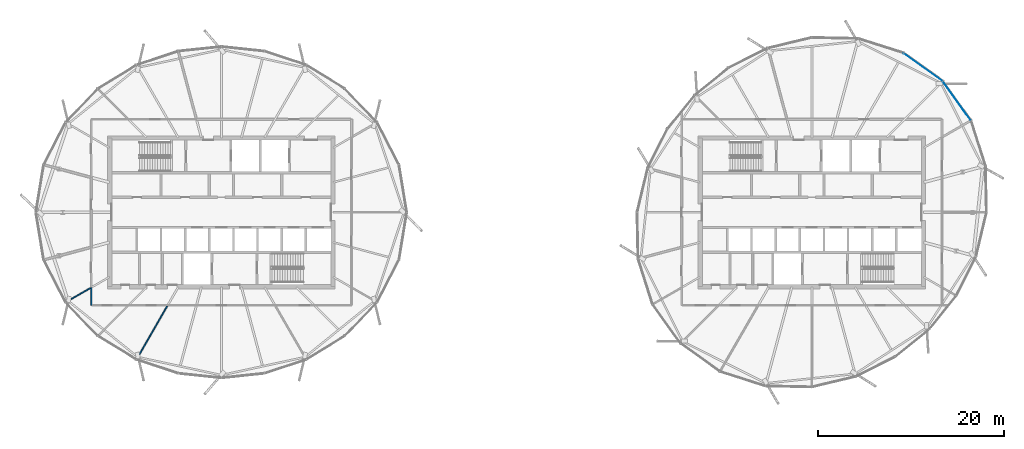
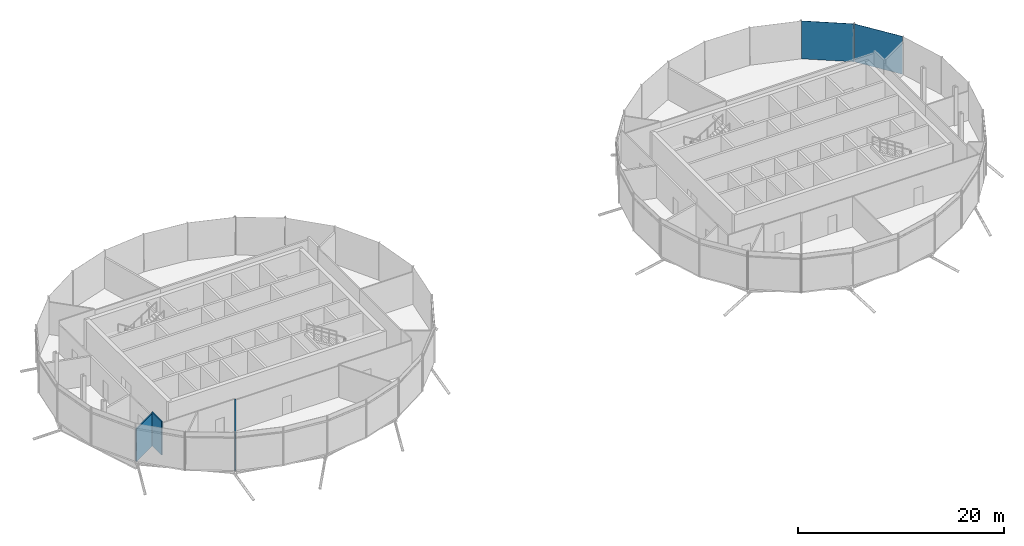
# One storey, part 15 of 31: 3 walls, 2 plates, 1 element without a shape of its own.
"""IFC4 building model written with IfcOpenShell, lengths in metres."""

import ifcopenshell
import ifcopenshell.guid

model = None  # the IFC model being written
_history = None  # IfcOwnerHistory: only IFC2X3 demands one
_inside = {}  # id of a spatial element -> (the spatial element, [elements in it])
_under = {}  # id of a project, library or spatial element -> (it, [spatial elements below it])
_declared = {}  # id of a project -> (the project, [libraries it declares])
_typed = {}  # id of a type object -> (the type object, [elements of that type])
_made_of = {}  # id of a material, layer set ... -> (it, [elements and type objects made of it])


def new_model(schema):
    """Start an empty IFC model of exactly this schema.

    Asked for "IFC4X3", IfcOpenShell would pick the latest addendum, in which some entities
    have other attributes; the version numbers below select the first issue.
    IFC2X3 requires an IfcOwnerHistory on every rooted entity: one is made here for all.
    """
    global model, _history
    if schema == "IFC4X3":
        model = ifcopenshell.file(schema_version=(4, 3, 0, 0))
    else:
        model = ifcopenshell.file(schema=schema)
    _inside.clear()
    _under.clear()
    _declared.clear()
    _typed.clear()
    _made_of.clear()
    _history = None
    if model.schema == "IFC2X3":
        org = make("IfcOrganization", Name="unknown")
        user = make(
            "IfcPersonAndOrganization",
            ThePerson=make("IfcPerson", FamilyName="unknown"),
            TheOrganization=org,
        )
        app = make(
            "IfcApplication",
            ApplicationDeveloper=org,
            Version="unknown",
            ApplicationFullName="unknown",
            ApplicationIdentifier="unknown",
        )
        _history = make(
            "IfcOwnerHistory",
            OwningUser=user,
            OwningApplication=app,
            ChangeAction="ADDED",
            CreationDate=0,
        )
    return model


def make(cls, **values):
    """One entity of the class cls with the attributes given. An attribute that is None is left unset."""
    return model.create_entity(
        cls, **{name: value for name, value in values.items() if value is not None}
    )


def rooted(cls, **values):
    """An entity with a GlobalId (a new one), such as an element, a storey or a relation."""
    return make(cls, GlobalId=ifcopenshell.guid.new(), OwnerHistory=_history, **values)


def si_unit(unit_type, name, prefix=None):
    """IfcSIUnit, for example si_unit("LENGTHUNIT", "METRE", prefix="MILLI")."""
    return make("IfcSIUnit", UnitType=unit_type, Prefix=prefix, Name=name)


def assignment(units):
    """IfcUnitAssignment: the units of a project."""
    return None if units is None else make("IfcUnitAssignment", Units=units)


def point(xyz):
    """IfcCartesianPoint."""
    return None if xyz is None else make("IfcCartesianPoint", Coordinates=xyz)


def direction(xyz):
    """IfcDirection."""
    return None if xyz is None else make("IfcDirection", DirectionRatios=xyz)


def frame(location, z_axis=None, x_axis=None):
    """IfcAxis2Placement3D, a coordinate frame: its origin and axes. An axis left out is left unset."""
    return make(
        "IfcAxis2Placement3D",
        Location=point(location),
        Axis=direction(z_axis),
        RefDirection=direction(x_axis),
    )


def frame_2d(location, x_axis=None):
    """IfcAxis2Placement2D, a coordinate frame in the plane: its origin and x axis."""
    return make(
        "IfcAxis2Placement2D", Location=point(location), RefDirection=direction(x_axis)
    )


def origin():
    """The frame at (0, 0, 0) with its axes left unset."""
    return frame((0.0, 0.0, 0.0))


def origin_2d():
    """The frame at (0, 0) in the plane with its x axis left unset."""
    return frame_2d((0.0, 0.0))


def place(relative_to, where):
    """IfcLocalPlacement: puts the frame where relative to a parent placement (None: the world)."""
    return make(
        "IfcLocalPlacement", PlacementRelTo=relative_to, RelativePlacement=where
    )


def context(
    kind, dimensions, precision=None, world=None, true_north=None, identifier=None
):
    """IfcGeometricRepresentationContext, for example the 3D "Model" context."""
    return make(
        "IfcGeometricRepresentationContext",
        ContextIdentifier=identifier,
        ContextType=kind,
        CoordinateSpaceDimension=dimensions,
        Precision=precision,
        WorldCoordinateSystem=world,
        TrueNorth=true_north,
    )


def subcontext(parent, identifier, kind, view, scale=None):
    """IfcGeometricRepresentationSubContext, for example "Body" below "Model"."""
    return make(
        "IfcGeometricRepresentationSubContext",
        ContextIdentifier=identifier,
        ContextType=kind,
        ParentContext=parent,
        TargetScale=scale,
        TargetView=view,
    )


def project(units=None, contexts=None):
    """IfcProject with its units and contexts."""
    return rooted(
        "IfcProject",
        Name="project",
        RepresentationContexts=contexts,
        UnitsInContext=assignment(units),
    )


def spatial(cls, under=None, at=None, **own):
    """A site, building, storey or space (cls), placed at a placement, below another one or the project."""
    s = rooted(cls, ObjectPlacement=at, **own)
    if under is not None:
        _under.setdefault(under.id(), (under, []))[1].append(s)
    return s


def profile(cls, at=None, kind="AREA", **sizes):
    """A parametric profile (cls). Its sizes go by their IFC names, for example OverallWidth=200.0."""
    return make(cls, ProfileType=kind, Position=at, **sizes)


def rectangle(**sizes):
    """IfcRectangleProfileDef."""
    return profile("IfcRectangleProfileDef", **sizes)


def extrude(swept, where, along, depth):
    """IfcExtrudedAreaSolid: the profile swept, set in the frame where, extruded along a direction by depth."""
    return make(
        "IfcExtrudedAreaSolid",
        SweptArea=swept,
        Position=where,
        ExtrudedDirection=direction(along),
        Depth=depth,
    )


def shape(context_of_items, identifier, shape_type, items):
    """IfcShapeRepresentation: the items that make up one representation, for example the "Body"."""
    return make(
        "IfcShapeRepresentation",
        ContextOfItems=context_of_items,
        RepresentationIdentifier=identifier,
        RepresentationType=shape_type,
        Items=items,
    )


def material(Name=None, Category=None):
    """IfcMaterial."""
    return make("IfcMaterial", Name=Name, Category=Category)


def layer(
    of_material, thickness, ventilated=None, Name=None, Category=None, Priority=None
):
    """IfcMaterialLayer: one layer of a wall or slab, of a material (None: an air gap)."""
    return make(
        "IfcMaterialLayer",
        Material=of_material,
        LayerThickness=thickness,
        IsVentilated=ventilated,
        Name=Name,
        Category=Category,
        Priority=Priority,
    )


def layer_set(layers, Name=None):
    """IfcMaterialLayerSet."""
    return make("IfcMaterialLayerSet", MaterialLayers=layers, LayerSetName=Name)


def made_of(thing, what):
    """Note that an element or type object is made of a material, layer set ...; save() writes the relation."""
    if what is not None:
        _made_of.setdefault(what.id(), (what, []))[1].append(thing)
    return thing


def type_object(cls, material=None, **own):
    """A type object (cls), such as IfcWallType, which elements share."""
    return made_of(rooted(cls, **own), material)


def element(
    cls,
    number,
    at=None,
    inside=None,
    cuts=None,
    type_object=None,
    material=None,
    context=None,
    identifier="Body",
    shape_type=None,
    held_by="IfcProductDefinitionShape",
    body=None,
    shapes=None,
    **own,
):
    """One element of the class cls, such as IfcWall. Its Tag is "e" and its number.

    at: its placement. inside: the storey or other place that contains it. cuts: it is an
    opening in that element (IfcRelVoidsElement). A single representation is given by context,
    identifier, shape_type and body (its items); several are given by shapes. held_by: the class
    of the entity that holds the representations. save() writes the other relations.
    """
    e = rooted(cls, Tag="e%d" % number, ObjectPlacement=at, **own)
    if body is not None:
        shapes = [shape(context, identifier, shape_type, body)]
    if shapes is not None:
        e.Representation = make(held_by, Representations=shapes)
    if inside is not None:
        _inside.setdefault(inside.id(), (inside, []))[1].append(e)
    if cuts is not None:
        rooted(
            "IfcRelVoidsElement", RelatingBuildingElement=cuts, RelatedOpeningElement=e
        )
    if type_object is not None:
        _typed.setdefault(type_object.id(), (type_object, []))[1].append(e)
    return made_of(e, material)


def aggregate(whole, parts):
    """IfcRelAggregates: a whole, such as a stair, and the parts it consists of."""
    return rooted("IfcRelAggregates", RelatingObject=whole, RelatedObjects=parts)


def save(model, path):
    """Write the relations noted so far, then the file.

    IfcRelAggregates (storeys below a building ...), IfcRelContainedInSpatialStructure (elements
    in a storey), IfcRelDefinesByType, IfcRelAssociatesMaterial and IfcRelDeclares: one each for
    every whole, place, type object, material and project.
    """
    for whole, parts in _under.values():
        aggregate(whole, parts)
    for where, things in _inside.values():
        rooted(
            "IfcRelContainedInSpatialStructure",
            RelatedElements=things,
            RelatingStructure=where,
        )
    for kind, things in _typed.values():
        rooted("IfcRelDefinesByType", RelatedObjects=things, RelatingType=kind)
    for what, things in _made_of.values():
        rooted("IfcRelAssociatesMaterial", RelatedObjects=things, RelatingMaterial=what)
    for by, libraries in _declared.values():
        rooted("IfcRelDeclares", RelatingContext=by, RelatedDefinitions=libraries)
    model.write(path)


model = new_model("IFC4")

# Units and contexts
model_context = context("Model", 3, precision=1e-05, world=origin(), true_north=direction((0.0, 1.0)))
body_context = subcontext(model_context, "Body", "Model", "MODEL_VIEW")
ifc_project = project(units=[si_unit("LENGTHUNIT", "METRE"), si_unit("AREAUNIT", "SQUARE_METRE"), si_unit("VOLUMEUNIT", "CUBIC_METRE"), si_unit("PLANEANGLEUNIT", "RADIAN"), si_unit("MASSUNIT", "GRAM", prefix="KILO")], contexts=[model_context])

# Site, building, storey
site_placement = place(None, origin())
site = spatial("IfcSite", under=ifc_project, at=site_placement, CompositionType="ELEMENT")
building_placement = place(site_placement, origin())
building = spatial("IfcBuilding", under=site, at=building_placement, Name="Rimbun Link Towers", CompositionType="ELEMENT")
storey_placement = place(building_placement, frame((0.0, 0.0, 263.10009765625)))
storey = spatial("IfcBuildingStorey", under=building, at=storey_placement, Name="L64", CompositionType="ELEMENT", Elevation=263.10009765625)

# Curtain wall, plates
ifc_material_1 = material(Name="Aluminium 6063-T6 and low-iron glass", Category="aluminium")
curtain_wall_type = type_object("IfcCurtainWallType", Name="CW5 full height lobby wall", PredefinedType="NOTDEFINED", material=ifc_material_1)
curtain_wall_placement = place(storey_placement, origin())
curtain_wall = element("IfcCurtainWall", 1, at=curtain_wall_placement, inside=storey, type_object=curtain_wall_type, Name="CW5 L64 T2", PredefinedType="NOTDEFINED")
ifc_material_2 = material(Name="Low-iron glass, laminated low-e unit", Category="glass")
ifc_layer_1 = layer(ifc_material_2, 0.031982421875)
ifc_layer_set_1 = layer_set([ifc_layer_1], Name="CW5 panel Low-iron glass 32")
plate_type = type_object("IfcPlateType", Name="CW5 panel Low-iron glass 32", PredefinedType="CURTAIN_PANEL", material=ifc_layer_set_1)
plate_1_placement = place(storey_placement, frame((43.725830078125, 15.590087890625, 0.0), z_axis=(0.0, 0.0, 1.0), x_axis=(0.812467608584, -0.583006333586, 0.0)))
plate_1 = element("IfcPlate", 2, at=plate_1_placement, type_object=plate_type, Name="CW5 panel", PredefinedType="CURTAIN_PANEL", context=body_context, shape_type="SweptSolid", body=[
    extrude(rectangle(XDim=5.134765625, YDim=0.031982421875, at=origin_2d()), origin(), (0.0, 0.0, 1.0), 4.5),
])
plate_2_placement = place(storey_placement, frame((47.340087890625, 11.975830078125, 0.0), z_axis=(0.0, 0.0, 1.0), x_axis=(0.583006333586, -0.812467608584, 0.0)))
plate_2 = element("IfcPlate", 3, at=plate_2_placement, type_object=plate_type, Name="CW5 panel", PredefinedType="CURTAIN_PANEL", context=body_context, shape_type="SweptSolid", body=[
    extrude(rectangle(XDim=5.134765625, YDim=0.031982421875, at=origin_2d()), origin(), (0.0, 0.0, 1.0), 4.5),
])
aggregate(curtain_wall, [plate_1, plate_2])

# Walls
ifc_material_3 = material(Name="Gypsum board on steel studs", Category="steel")
ifc_layer_2 = layer(ifc_material_3, 0.125)
ifc_layer_set_2 = layer_set([ifc_layer_2], Name="Partition 125 board on studs")
wall_type = type_object("IfcWallType", Name="Partition 125 board on studs", PredefinedType="PARTITIONING", material=ifc_layer_set_2)
wall_1_placement = place(storey_placement, frame((-45.75, -8.0830078125, 0.0), z_axis=(0.0, 0.0, 1.0), x_axis=(0.0, -1.0, 0.0)))
element("IfcWall", 4, at=wall_1_placement, inside=storey, type_object=wall_type, Name="TW/PW/L64/002", PredefinedType="PARTITIONING", context=body_context, shape_type="SweptSolid", body=[
    extrude(rectangle(XDim=1.9169921875, YDim=0.125, at=frame_2d((0.95849609375, 0.0))), origin(), (0.0, 0.0, 1.0), 3.976806640625),
])
wall_2_placement = place(storey_placement, frame((-48.45751953125, -9.64599609375, 0.0), z_axis=(0.0, 0.0, 1.0), x_axis=(0.866029326177, 0.499993206155, 0.0)))
element("IfcWall", 5, at=wall_2_placement, inside=storey, type_object=wall_type, Name="TW/PW/L64/016", PredefinedType="PARTITIONING", context=body_context, shape_type="SweptSolid", body=[
    extrude(rectangle(XDim=3.01806640625, YDim=0.125, at=frame_2d((1.509033203125, 0.0))), origin(), (0.0, 0.0, 1.0), 3.826904296875),
])
wall_3_placement = place(storey_placement, frame((-40.90625, -15.859130859375, 0.0), z_axis=(0.0, 0.0, 1.0), x_axis=(0.499996517727, 0.866027414267, 0.0)))
element("IfcWall", 6, at=wall_3_placement, inside=storey, type_object=wall_type, Name="TW/PW/L64/019", PredefinedType="PARTITIONING", context=body_context, shape_type="SweptSolid", body=[
    extrude(rectangle(XDim=6.6572265625, YDim=0.125, at=frame_2d((3.32861328125, 0.0))), origin(), (0.0, 0.0, 1.0), 3.826904296875),
])

save(model, "model.ifc")
